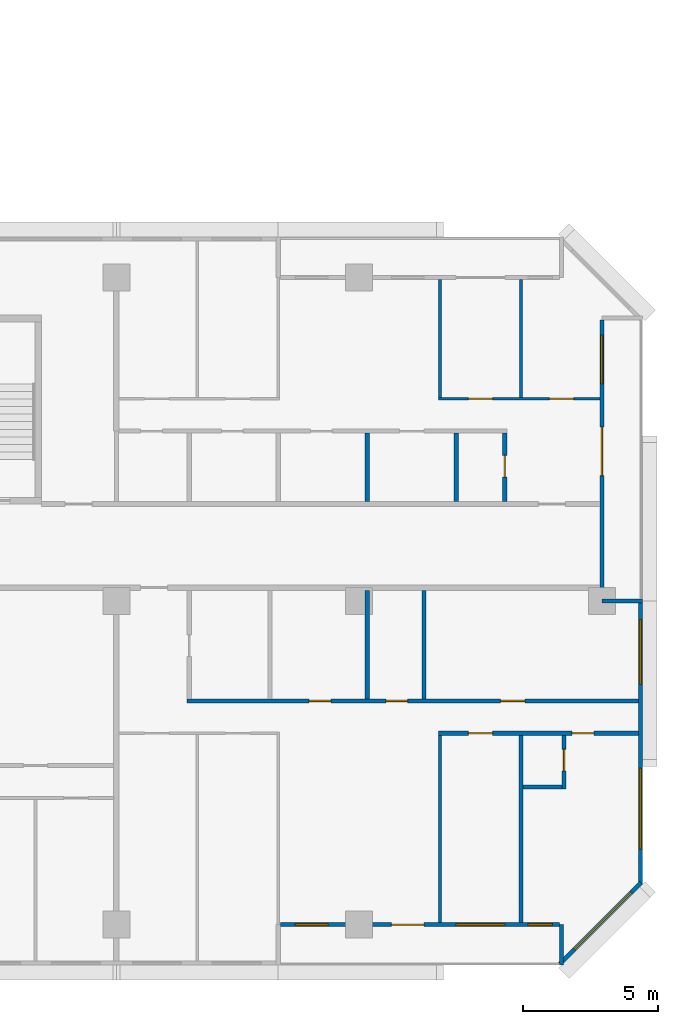
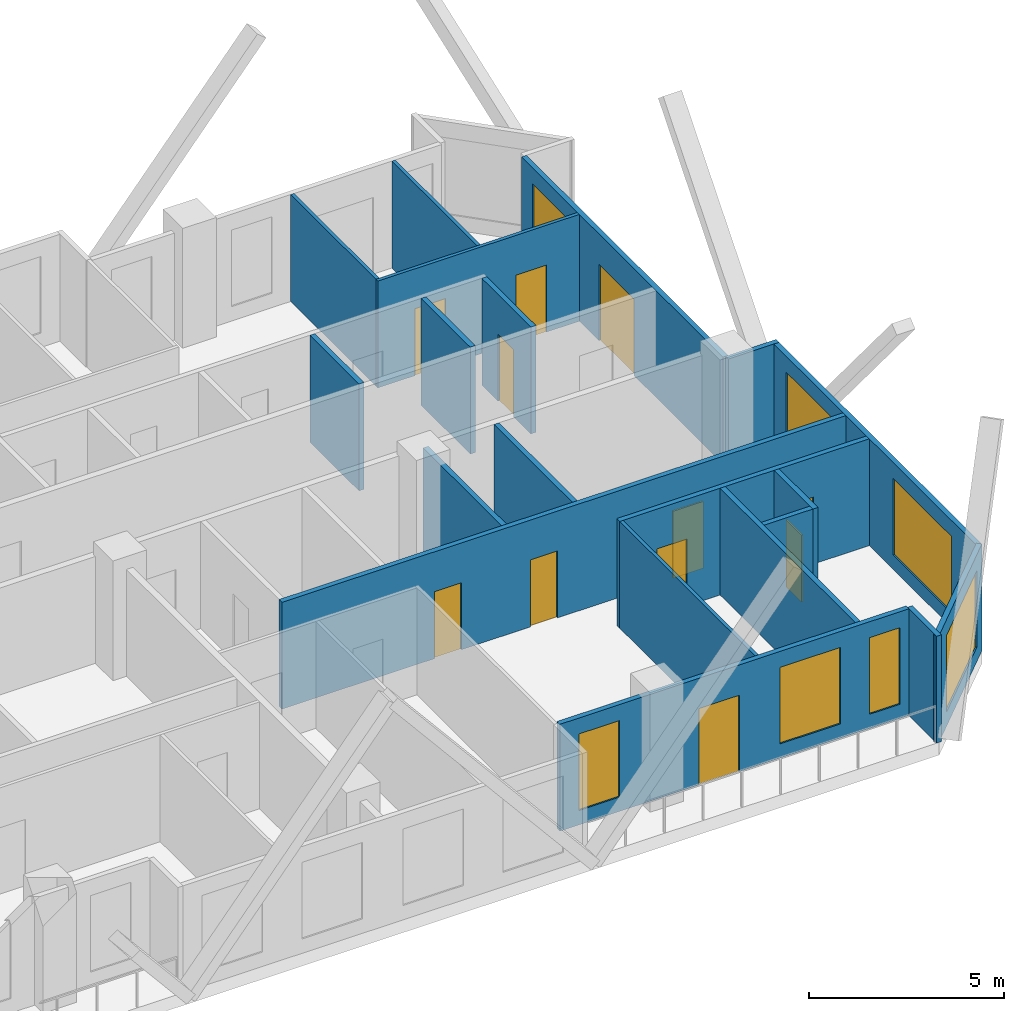
# One storey, part 12 of 16: 20 walls, 11 doors, 7 windows, 18 openings.
"""IFC4 building model written with IfcOpenShell, lengths in metres."""

from ifc_helpers import new_model, si_unit, direction, frame, frame_2d, origin, place, context, subcontext, project, spatial, rectangle, extrude, material, layer, layer_set, type_object, element, fill, save


model = new_model("IFC4")

# Units and contexts
model_context = context("Model", 3, precision=1e-05, world=origin(), true_north=direction((0.0, 1.0)))
body_context = subcontext(model_context, "Body", "Model", "MODEL_VIEW")
ifc_project = project(units=[si_unit("LENGTHUNIT", "METRE"), si_unit("AREAUNIT", "SQUARE_METRE"), si_unit("VOLUMEUNIT", "CUBIC_METRE"), si_unit("PLANEANGLEUNIT", "RADIAN"), si_unit("MASSUNIT", "GRAM", prefix="KILO")], contexts=[model_context])

# Site, building, storey
site_placement = place(None, origin())
site = spatial("IfcSite", under=ifc_project, at=site_placement, CompositionType="ELEMENT")
building_placement = place(site_placement, origin())
building = spatial("IfcBuilding", under=site, at=building_placement, Name="Chenar Terraces", CompositionType="ELEMENT")
storey_placement = place(building_placement, frame((0.0, 0.0, 99.39990234375)))
storey = spatial("IfcBuildingStorey", under=building, at=storey_placement, Name="L22", CompositionType="ELEMENT", Elevation=99.39990234375)

# Wall, openings, windows
ifc_material_1 = material(Name="Aluminium framed glazing", Category="aluminium")
ifc_layer_1 = layer(ifc_material_1, 0.14990234375)
ifc_layer_set_1 = layer_set([ifc_layer_1], Name="Aluminium framed glazing")
wall_type_1 = type_object("IfcWallType", Name="Glazed flush facade wall 150", PredefinedType="SOLIDWALL", material=ifc_layer_set_1)
wall_1_placement = place(storey_placement, frame((73.425048828125, 1.5, 0.0), z_axis=(0.0, 0.0, 1.0), x_axis=(0.0, 1.0, 0.0)))
wall_1 = element("IfcWall", 1, at=wall_1_placement, inside=storey, type_object=wall_type_1, Name="Glazed flush facade wall", PredefinedType="SOLIDWALL", context=body_context, shape_type="SweptSolid", body=[
    extrude(rectangle(XDim=10.425048828125, YDim=0.14990234375, at=frame_2d((5.21240234375, 0.0))), origin(), (0.0, 0.0, 1.0), 3.35009765625),
])
opening_1_placement = place(wall_1_placement, frame((1.300048828125, 0.0, 0.449951171875)))
opening_1 = element("IfcOpeningElement", 2, at=opening_1_placement, cuts=wall_1, Name="Opening W300x240", PredefinedType="OPENING", context=body_context, shape_type="SweptSolid", body=[
    extrude(rectangle(XDim=3.0, YDim=2.39990234375, at=frame_2d((1.5, 1.199951171875))), frame((0.0, 0.0849609375, 0.0), z_axis=(0.0, -1.0, 0.0), x_axis=(1.0, 0.0, 0.0)), (0.0, 0.0, 1.0), 0.169921875),
])
opening_2_placement = place(wall_1_placement, frame((7.41259765625, 0.0, 0.449951171875)))
opening_2 = element("IfcOpeningElement", 3, at=opening_2_placement, cuts=wall_1, Name="Opening W240x240", PredefinedType="OPENING", context=body_context, shape_type="SweptSolid", body=[
    extrude(rectangle(XDim=2.39990234375, YDim=2.39990234375, at=frame_2d((1.199951171875, 1.199951171875))), frame((0.0, 0.0849609375, 0.0), z_axis=(0.0, -1.0, 0.0), x_axis=(1.0, 0.0, 0.0)), (0.0, 0.0, 1.0), 0.169921875),
])
ifc_material_2 = material(Name="Low emissivity double glazing, aluminium frame", Category="aluminium")
window_type_1 = type_object("IfcWindowType", Name="Fixed light 2400 x 2400", PartitioningType="SINGLE_PANEL", PredefinedType="WINDOW", material=ifc_material_2)
window_1_placement = place(opening_2_placement, origin())
window_1 = element("IfcWindow", 4, at=window_1_placement, inside=storey, type_object=window_type_1, Name="Window", OverallHeight=2.39990234375, OverallWidth=2.39990234375, PartitioningType="SINGLE_PANEL", PredefinedType="WINDOW", context=body_context, shape_type="SweptSolid", body=[
    extrude(rectangle(XDim=2.39990234375, YDim=2.39990234375, at=frame_2d((1.199951171875, 1.199951171875))), frame((0.0, 0.030029296875, 0.0), z_axis=(0.0, -1.0, 0.0), x_axis=(1.0, 0.0, 0.0)), (0.0, 0.0, 1.0), 0.06005859375),
])
fill(opening_2, window_1)
ifc_material_3 = material(Name="Low emissivity double glazing, aluminium frame", Category="aluminium")
window_type_2 = type_object("IfcWindowType", Name="Fixed light 3000 x 2400", PartitioningType="SINGLE_PANEL", PredefinedType="WINDOW", material=ifc_material_3)
window_2_placement = place(opening_1_placement, origin())
window_2 = element("IfcWindow", 5, at=window_2_placement, inside=storey, type_object=window_type_2, Name="Window", OverallHeight=2.39990234375, OverallWidth=3.0, PartitioningType="SINGLE_PANEL", PredefinedType="WINDOW", context=body_context, shape_type="SweptSolid", body=[
    extrude(rectangle(XDim=3.0, YDim=2.39990234375, at=frame_2d((1.5, 1.199951171875))), frame((0.0, 0.030029296875, 0.0), z_axis=(0.0, -1.0, 0.0), x_axis=(1.0, 0.0, 0.0)), (0.0, 0.0, 1.0), 0.06005859375),
])
fill(opening_1, window_2)

# Wall, openings, windows, door
ifc_material_4 = material(Name="Aluminium framed glazing", Category="aluminium")
ifc_layer_2 = layer(ifc_material_4, 0.14990234375)
ifc_layer_set_2 = layer_set([ifc_layer_2], Name="Aluminium framed glazing")
wall_type_2 = type_object("IfcWallType", Name="Glazed loggia back wall 150", PredefinedType="SOLIDWALL", material=ifc_layer_set_2)
wall_2_placement = place(storey_placement, frame((60.074951171875, 0.0, 0.0), z_axis=(0.0, 0.0, 1.0), x_axis=(1.0, 0.0, 0.0)))
wall_2 = element("IfcWall", 6, at=wall_2_placement, inside=storey, type_object=wall_type_2, Name="Glazed loggia back wall", PredefinedType="SOLIDWALL", context=body_context, shape_type="SweptSolid", body=[
    extrude(rectangle(XDim=10.35009765625, YDim=0.14990234375, at=frame_2d((5.175048828125, 0.0))), origin(), (0.0, 0.0, 1.0), 3.35009765625),
])
opening_3_placement = place(wall_2_placement, frame((0.5625, 0.0, 0.449951171875)))
opening_3 = element("IfcOpeningElement", 7, at=opening_3_placement, cuts=wall_2, Name="Opening W120x240", PredefinedType="OPENING", context=body_context, shape_type="SweptSolid", body=[
    extrude(rectangle(XDim=1.199951171875, YDim=2.39990234375, at=frame_2d((0.60009765625, 1.199951171875))), frame((0.0, 0.0849609375, 0.0), z_axis=(0.0, -1.0, 0.0), x_axis=(1.0, 0.0, 0.0)), (0.0, 0.0, 1.0), 0.169921875),
])
opening_4_placement = place(wall_2_placement, frame((4.125, 0.0, 0.0)))
opening_4 = element("IfcOpeningElement", 8, at=opening_4_placement, cuts=wall_2, Name="Opening DL22-G8", PredefinedType="OPENING", context=body_context, shape_type="SweptSolid", body=[
    extrude(rectangle(XDim=1.199951171875, YDim=2.39990234375, at=frame_2d((0.60009765625, 1.199951171875))), frame((0.0, 0.0849609375, 0.0), z_axis=(0.0, -1.0, 0.0), x_axis=(1.0, 0.0, 0.0)), (0.0, 0.0, 1.0), 0.169921875),
])
opening_5_placement = place(wall_2_placement, frame((6.52490234375, 0.0, 0.449951171875)))
opening_5 = element("IfcOpeningElement", 9, at=opening_5_placement, cuts=wall_2, Name="Opening W180x240", PredefinedType="OPENING", context=body_context, shape_type="SweptSolid", body=[
    extrude(rectangle(XDim=1.800048828125, YDim=2.39990234375, at=frame_2d((0.89990234375, 1.199951171875))), frame((0.0, 0.0849609375, 0.0), z_axis=(0.0, -1.0, 0.0), x_axis=(1.0, 0.0, 0.0)), (0.0, 0.0, 1.0), 0.169921875),
])
opening_6_placement = place(wall_2_placement, frame((9.1875, 0.0, 0.449951171875)))
opening_6 = element("IfcOpeningElement", 10, at=opening_6_placement, cuts=wall_2, Name="Opening W90x240", PredefinedType="OPENING", context=body_context, shape_type="SweptSolid", body=[
    extrude(rectangle(XDim=0.89990234375, YDim=2.39990234375, at=frame_2d((0.449951171875, 1.199951171875))), frame((0.0, 0.0849609375, 0.0), z_axis=(0.0, -1.0, 0.0), x_axis=(1.0, 0.0, 0.0)), (0.0, 0.0, 1.0), 0.169921875),
])
ifc_material_5 = material(Name="Low emissivity double glazing, aluminium frame", Category="aluminium")
window_type_3 = type_object("IfcWindowType", Name="Fixed light 1200 x 2400", PartitioningType="SINGLE_PANEL", PredefinedType="WINDOW", material=ifc_material_5)
window_3_placement = place(opening_3_placement, origin())
window_3 = element("IfcWindow", 11, at=window_3_placement, inside=storey, type_object=window_type_3, Name="Window", OverallHeight=2.39990234375, OverallWidth=1.199951171875, PartitioningType="SINGLE_PANEL", PredefinedType="WINDOW", context=body_context, shape_type="SweptSolid", body=[
    extrude(rectangle(XDim=1.199951171875, YDim=2.39990234375, at=frame_2d((0.60009765625, 1.199951171875))), frame((0.0, 0.030029296875, 0.0), z_axis=(0.0, -1.0, 0.0), x_axis=(1.0, 0.0, 0.0)), (0.0, 0.0, 1.0), 0.06005859375),
])
fill(opening_3, window_3)
ifc_material_6 = material(Name="Low emissivity double glazing, aluminium frame", Category="aluminium")
window_type_4 = type_object("IfcWindowType", Name="Fixed light 1800 x 2400", PartitioningType="SINGLE_PANEL", PredefinedType="WINDOW", material=ifc_material_6)
window_4_placement = place(opening_5_placement, origin())
window_4 = element("IfcWindow", 12, at=window_4_placement, inside=storey, type_object=window_type_4, Name="Window", OverallHeight=2.39990234375, OverallWidth=1.800048828125, PartitioningType="SINGLE_PANEL", PredefinedType="WINDOW", context=body_context, shape_type="SweptSolid", body=[
    extrude(rectangle(XDim=1.800048828125, YDim=2.39990234375, at=frame_2d((0.89990234375, 1.199951171875))), frame((0.0, 0.030029296875, 0.0), z_axis=(0.0, -1.0, 0.0), x_axis=(1.0, 0.0, 0.0)), (0.0, 0.0, 1.0), 0.06005859375),
])
fill(opening_5, window_4)
ifc_material_7 = material(Name="Low emissivity double glazing, aluminium frame", Category="aluminium")
window_type_5 = type_object("IfcWindowType", Name="Fixed light 900 x 2400", PartitioningType="SINGLE_PANEL", PredefinedType="WINDOW", material=ifc_material_7)
window_5_placement = place(opening_6_placement, origin())
window_5 = element("IfcWindow", 13, at=window_5_placement, inside=storey, type_object=window_type_5, Name="Window", OverallHeight=2.39990234375, OverallWidth=0.89990234375, PartitioningType="SINGLE_PANEL", PredefinedType="WINDOW", context=body_context, shape_type="SweptSolid", body=[
    extrude(rectangle(XDim=0.89990234375, YDim=2.39990234375, at=frame_2d((0.449951171875, 1.199951171875))), frame((0.0, 0.030029296875, 0.0), z_axis=(0.0, -1.0, 0.0), x_axis=(1.0, 0.0, 0.0)), (0.0, 0.0, 1.0), 0.06005859375),
])
fill(opening_6, window_5)
ifc_material_8 = material(Name="Low emissivity double glazing, aluminium frame", Category="aluminium")
door_type_1 = type_object("IfcDoorType", Name="Loggia glazed double door 1200 x 2400", OperationType="DOUBLE_DOOR_SINGLE_SWING", PredefinedType="DOOR", material=ifc_material_8)
door_1_placement = place(opening_4_placement, frame((1.199951171875, 0.0, 0.0), z_axis=(0.0, 0.0, 1.0), x_axis=(-1.0, 0.0, 0.0)))
door_1 = element("IfcDoor", 14, at=door_1_placement, inside=storey, type_object=door_type_1, Name="Loggia glazed door", OperationType="DOUBLE_DOOR_SINGLE_SWING", OverallHeight=2.39990234375, OverallWidth=1.199951171875, PredefinedType="DOOR", context=body_context, shape_type="SweptSolid", body=[
    extrude(rectangle(XDim=1.199951171875, YDim=2.39990234375, at=frame_2d((0.60009765625, 1.199951171875))), frame((0.0, 0.02490234375, 0.0), z_axis=(0.0, -1.0, 0.0), x_axis=(1.0, 0.0, 0.0)), (0.0, 0.0, 1.0), 0.050048828125),
])
fill(opening_4, door_1)

# Wall, openings, window, door
wall_3_placement = place(storey_placement, frame((72.0, 12.074951171875, 0.0), z_axis=(0.0, 0.0, 1.0), x_axis=(0.0, 1.0, 0.0)))
wall_3 = element("IfcWall", 15, at=wall_3_placement, inside=storey, type_object=wall_type_2, Name="Glazed loggia back wall", PredefinedType="SOLIDWALL", context=body_context, shape_type="SweptSolid", body=[
    extrude(rectangle(XDim=10.35009765625, YDim=0.14990234375, at=frame_2d((5.175048828125, 0.0))), origin(), (0.0, 0.0, 1.0), 3.35009765625),
])
opening_7_placement = place(wall_3_placement, frame((4.574951171875, 0.0, 0.0)))
opening_7 = element("IfcOpeningElement", 16, at=opening_7_placement, cuts=wall_3, Name="Opening DL22-G9", PredefinedType="OPENING", context=body_context, shape_type="SweptSolid", body=[
    extrude(rectangle(XDim=1.800048828125, YDim=2.39990234375, at=frame_2d((0.89990234375, 1.199951171875))), frame((0.0, 0.0849609375, 0.0), z_axis=(0.0, -1.0, 0.0), x_axis=(1.0, 0.0, 0.0)), (0.0, 0.0, 1.0), 0.169921875),
])
opening_8_placement = place(wall_3_placement, frame((7.987548828125, 0.0, 0.449951171875)))
opening_8 = element("IfcOpeningElement", 17, at=opening_8_placement, cuts=wall_3, Name="Opening W180x240", PredefinedType="OPENING", context=body_context, shape_type="SweptSolid", body=[
    extrude(rectangle(XDim=1.800048828125, YDim=2.39990234375, at=frame_2d((0.89990234375, 1.199951171875))), frame((0.0, 0.0849609375, 0.0), z_axis=(0.0, -1.0, 0.0), x_axis=(1.0, 0.0, 0.0)), (0.0, 0.0, 1.0), 0.169921875),
])
window_6_placement = place(opening_8_placement, origin())
window_6 = element("IfcWindow", 18, at=window_6_placement, inside=storey, type_object=window_type_4, Name="Window", OverallHeight=2.39990234375, OverallWidth=1.800048828125, PartitioningType="SINGLE_PANEL", PredefinedType="WINDOW", context=body_context, shape_type="SweptSolid", body=[
    extrude(rectangle(XDim=1.800048828125, YDim=2.39990234375, at=frame_2d((0.89990234375, 1.199951171875))), frame((0.0, 0.030029296875, 0.0), z_axis=(0.0, -1.0, 0.0), x_axis=(1.0, 0.0, 0.0)), (0.0, 0.0, 1.0), 0.06005859375),
])
fill(opening_8, window_6)
ifc_material_9 = material(Name="Low emissivity double glazing, aluminium frame", Category="aluminium")
door_type_2 = type_object("IfcDoorType", Name="Loggia glazed double door 1800 x 2400", OperationType="DOUBLE_DOOR_SINGLE_SWING", PredefinedType="DOOR", material=ifc_material_9)
door_2_placement = place(opening_7_placement, frame((1.800048828125, 0.0, 0.0), z_axis=(0.0, 0.0, 1.0), x_axis=(-1.0, 0.0, 0.0)))
door_2 = element("IfcDoor", 19, at=door_2_placement, inside=storey, type_object=door_type_2, Name="Loggia glazed door", OperationType="DOUBLE_DOOR_SINGLE_SWING", OverallHeight=2.39990234375, OverallWidth=1.800048828125, PredefinedType="DOOR", context=body_context, shape_type="SweptSolid", body=[
    extrude(rectangle(XDim=1.800048828125, YDim=2.39990234375, at=frame_2d((0.89990234375, 1.199951171875))), frame((0.0, 0.02490234375, 0.0), z_axis=(0.0, -1.0, 0.0), x_axis=(1.0, 0.0, 0.0)), (0.0, 0.0, 1.0), 0.050048828125),
])
fill(opening_7, door_2)

# Wall, openings, doors
ifc_material_10 = material(Name="Gypsum board on steel studs", Category="steel")
ifc_layer_3 = layer(ifc_material_10, 0.10009765625)
ifc_layer_set_3 = layer_set([ifc_layer_3], Name="Gypsum board on steel studs")
wall_type_3 = type_object("IfcWallType", Name="Gypsum partition 100", PredefinedType="PARTITIONING", material=ifc_layer_set_3)
wall_4_placement = place(storey_placement, frame((65.949951171875, 19.5, 0.0), z_axis=(0.0, 0.0, 1.0), x_axis=(1.0, 0.0, 0.0)))
wall_4 = element("IfcWall", 20, at=wall_4_placement, inside=storey, type_object=wall_type_3, Name="Partition L22-094", PredefinedType="PARTITIONING", context=body_context, shape_type="SweptSolid", body=[
    extrude(rectangle(XDim=5.97607421875, YDim=0.10009765625, at=frame_2d((2.988037109375, 0.0))), origin(), (0.0, 0.0, 1.0), 3.35009765625),
])
opening_9_placement = place(wall_4_placement, frame((4.10009765625, 0.0, 0.0)))
opening_9 = element("IfcOpeningElement", 21, at=opening_9_placement, cuts=wall_4, Name="Opening DL22-7", PredefinedType="OPENING", context=body_context, shape_type="SweptSolid", body=[
    extrude(rectangle(XDim=0.89990234375, YDim=2.10009765625, at=frame_2d((0.449951171875, 1.050048828125))), frame((0.0, 0.06005859375, 0.0), z_axis=(0.0, -1.0, 0.0), x_axis=(1.0, 0.0, 0.0)), (0.0, 0.0, 1.0), 0.1201171875),
])
opening_10_placement = place(wall_4_placement, frame((1.10009765625, 0.0, 0.0)))
opening_10 = element("IfcOpeningElement", 22, at=opening_10_placement, cuts=wall_4, Name="Opening DL22-11", PredefinedType="OPENING", context=body_context, shape_type="SweptSolid", body=[
    extrude(rectangle(XDim=0.89990234375, YDim=2.10009765625, at=frame_2d((0.449951171875, 1.050048828125))), frame((0.0, 0.06005859375, 0.0), z_axis=(0.0, -1.0, 0.0), x_axis=(1.0, 0.0, 0.0)), (0.0, 0.0, 1.0), 0.1201171875),
])
ifc_material_11 = material(Name="Veneered timber door leaf", Category="wood")
door_type_3 = type_object("IfcDoorType", Name="Door 900 x 2100", OperationType="SINGLE_SWING_LEFT", PredefinedType="DOOR", material=ifc_material_11)
door_3_placement = place(opening_9_placement, origin())
door_3 = element("IfcDoor", 23, at=door_3_placement, inside=storey, type_object=door_type_3, Name="Door DL22-7", OperationType="SINGLE_SWING_LEFT", OverallHeight=2.10009765625, OverallWidth=0.89990234375, PredefinedType="DOOR", context=body_context, shape_type="SweptSolid", body=[
    extrude(rectangle(XDim=0.89990234375, YDim=2.10009765625, at=frame_2d((0.449951171875, 1.050048828125))), frame((0.0, 0.02490234375, 0.0), z_axis=(0.0, -1.0, 0.0), x_axis=(1.0, 0.0, 0.0)), (0.0, 0.0, 1.0), 0.050048828125),
])
fill(opening_9, door_3)
door_4_placement = place(opening_10_placement, origin())
door_4 = element("IfcDoor", 24, at=door_4_placement, inside=storey, type_object=door_type_3, Name="Door DL22-11", OperationType="SINGLE_SWING_LEFT", OverallHeight=2.10009765625, OverallWidth=0.89990234375, PredefinedType="DOOR", context=body_context, shape_type="SweptSolid", body=[
    extrude(rectangle(XDim=0.89990234375, YDim=2.10009765625, at=frame_2d((0.449951171875, 1.050048828125))), frame((0.0, 0.02490234375, 0.0), z_axis=(0.0, -1.0, 0.0), x_axis=(1.0, 0.0, 0.0)), (0.0, 0.0, 1.0), 0.050048828125),
])
fill(opening_10, door_4)

# Walls
wall_5_placement = place(storey_placement, frame((66.0, 0.073974609375, 0.0), z_axis=(0.0, 0.0, 1.0), x_axis=(0.0, 1.0, 0.0)))
element("IfcWall", 25, at=wall_5_placement, inside=storey, type_object=wall_type_3, Name="Partition L22-095", PredefinedType="PARTITIONING", context=body_context, shape_type="SweptSolid", body=[
    extrude(rectangle(XDim=6.950927734375, YDim=0.10009765625, at=frame_2d((3.4755859375, 0.0))), origin(), (0.0, 0.0, 1.0), 3.35009765625),
])
for number, where, z_axis, x_axis, name in (
    (26, (66.0, 19.550048828125, 0.0), (0.0, 0.0, 1.0), (0.0, 1.0, 0.0), "Partition L22-096"),
    (27, (69.0, 19.550048828125, 0.0), (0.0, 0.0, 1.0), (0.0, 1.0, 0.0), "Partition L22-100"),
):
    element("IfcWall", number, at=place(storey_placement, frame(where, z_axis=z_axis, x_axis=x_axis)), inside=storey, type_object=wall_type_3, Name=name, PredefinedType="PARTITIONING", context=body_context, shape_type="SweptSolid", body=[
        extrude(rectangle(XDim=4.3759765625, YDim=0.10009765625, at=frame_2d((2.18798828125, 0.0))), origin(), (0.0, 0.0, 1.0), 3.35009765625),
    ])
ifc_material_12 = material(Name="Terracotta cladding on insulated backing", Category="masonry")
ifc_layer_4 = layer(ifc_material_12, 0.14990234375)
ifc_layer_set_4 = layer_set([ifc_layer_4], Name="Terracotta cladding on insulated backing")
wall_type_4 = type_object("IfcWallType", Name="Loggia return wall 150", PredefinedType="SOLIDWALL", material=ifc_layer_set_4)
for number, where, z_axis, x_axis, name in (
    (28, (70.5, -1.5, 0.0), (0.0, 0.0, 1.0), (0.0, 1.0, 0.0), "Loggia return wall"),
    (29, (73.5, 12.0, 0.0), (0.0, 0.0, 1.0), (-1.0, 0.0, 0.0), "Loggia return wall"),
):
    element("IfcWall", number, at=place(storey_placement, frame(where, z_axis=z_axis, x_axis=x_axis)), inside=storey, type_object=wall_type_4, Name=name, PredefinedType="SOLIDWALL", context=body_context, shape_type="SweptSolid", body=[
        extrude(rectangle(XDim=1.5, YDim=0.14990234375, at=frame_2d((0.75, 0.0))), origin(), (0.0, 0.0, 1.0), 3.35009765625),
    ])

# Wall, opening, window
ifc_material_13 = material(Name="Terracotta cladding on insulated backing", Category="masonry")
ifc_layer_5 = layer(ifc_material_13, 0.14990234375)
ifc_layer_set_5 = layer_set([ifc_layer_5], Name="Terracotta cladding on insulated backing")
wall_type_5 = type_object("IfcWallType", Name="Terracotta rainscreen wall 150", PredefinedType="SOLIDWALL", material=ifc_layer_set_5)
wall_6_placement = place(storey_placement, frame((70.447021484375, -1.447021484375, 0.0), z_axis=(0.0, 0.0, 1.0), x_axis=(0.707106781187, 0.707106781187, 0.0)))
wall_6 = element("IfcWall", 30, at=wall_6_placement, inside=storey, type_object=wall_type_5, Name="Terracotta rainscreen wall", PredefinedType="SOLIDWALL", context=body_context, shape_type="SweptSolid", body=[
    extrude(rectangle(XDim=4.24267578125, YDim=0.14990234375, at=frame_2d((2.121337890625, 0.0))), origin(), (0.0, 0.0, 1.0), 3.35009765625),
])
opening_11_placement = place(wall_6_placement, frame((0.744384765625, 0.0, 0.449951171875)))
opening_11 = element("IfcOpeningElement", 31, at=opening_11_placement, cuts=wall_6, Name="Opening W300x240", PredefinedType="OPENING", context=body_context, shape_type="SweptSolid", body=[
    extrude(rectangle(XDim=3.0, YDim=2.39990234375, at=frame_2d((1.5, 1.199951171875))), frame((0.0, 0.0849609375, 0.0), z_axis=(0.0, -1.0, 0.0), x_axis=(1.0, 0.0, 0.0)), (0.0, 0.0, 1.0), 0.169921875),
])
window_7_placement = place(opening_11_placement, origin())
window_7 = element("IfcWindow", 32, at=window_7_placement, inside=storey, type_object=window_type_2, Name="Window", OverallHeight=2.39990234375, OverallWidth=3.0, PartitioningType="SINGLE_PANEL", PredefinedType="WINDOW", context=body_context, shape_type="SweptSolid", body=[
    extrude(rectangle(XDim=3.0, YDim=2.39990234375, at=frame_2d((1.5, 1.199951171875))), frame((0.0, 0.030029296875, 0.0), z_axis=(0.0, -1.0, 0.0), x_axis=(1.0, 0.0, 0.0)), (0.0, 0.0, 1.0), 0.06005859375),
])
fill(opening_11, window_7)

# Wall, openings, doors
ifc_material_14 = material(Name="Moisture-resistant gypsum board on steel studs", Category="steel")
ifc_layer_6 = layer(ifc_material_14, 0.14990234375)
ifc_layer_set_6 = layer_set([ifc_layer_6], Name="Moisture-resistant gypsum board on steel studs")
wall_type_6 = type_object("IfcWallType", Name="Wet-room partition 150", PredefinedType="PARTITIONING", material=ifc_layer_set_6)
wall_7_placement = place(storey_placement, frame((56.625, 8.300048828125, 0.0), z_axis=(0.0, 0.0, 1.0), x_axis=(1.0, 0.0, 0.0)))
wall_7 = element("IfcWall", 33, at=wall_7_placement, inside=storey, type_object=wall_type_6, Name="Partition L22-081", PredefinedType="PARTITIONING", context=body_context, shape_type="SweptSolid", body=[
    extrude(rectangle(XDim=16.72509765625, YDim=0.14990234375, at=frame_2d((8.362548828125, 0.0))), origin(), (0.0, 0.0, 1.0), 3.35009765625),
])
opening_12_placement = place(wall_7_placement, frame((4.52490234375, 0.0, 0.0)))
opening_12 = element("IfcOpeningElement", 34, at=opening_12_placement, cuts=wall_7, Name="Opening DL22-14", PredefinedType="OPENING", context=body_context, shape_type="SweptSolid", body=[
    extrude(rectangle(XDim=0.800048828125, YDim=2.10009765625, at=frame_2d((0.39990234375, 1.050048828125))), frame((0.0, 0.0849609375, 0.0), z_axis=(0.0, -1.0, 0.0), x_axis=(1.0, 0.0, 0.0)), (0.0, 0.0, 1.0), 0.169921875),
])
opening_13_placement = place(wall_7_placement, frame((11.625, 0.0, 0.0)))
opening_13 = element("IfcOpeningElement", 35, at=opening_13_placement, cuts=wall_7, Name="Opening DL22-17", PredefinedType="OPENING", context=body_context, shape_type="SweptSolid", body=[
    extrude(rectangle(XDim=0.89990234375, YDim=2.10009765625, at=frame_2d((0.449951171875, 1.050048828125))), frame((0.0, 0.0849609375, 0.0), z_axis=(0.0, -1.0, 0.0), x_axis=(1.0, 0.0, 0.0)), (0.0, 0.0, 1.0), 0.169921875),
])
opening_14_placement = place(wall_7_placement, frame((7.375, 0.0, 0.0)))
opening_14 = element("IfcOpeningElement", 36, at=opening_14_placement, cuts=wall_7, Name="Opening DL22-23", PredefinedType="OPENING", context=body_context, shape_type="SweptSolid", body=[
    extrude(rectangle(XDim=0.800048828125, YDim=2.10009765625, at=frame_2d((0.39990234375, 1.050048828125))), frame((0.0, 0.0849609375, 0.0), z_axis=(0.0, -1.0, 0.0), x_axis=(1.0, 0.0, 0.0)), (0.0, 0.0, 1.0), 0.169921875),
])
ifc_material_15 = material(Name="Veneered timber door leaf", Category="wood")
door_type_4 = type_object("IfcDoorType", Name="Door 800 x 2100", OperationType="SINGLE_SWING_LEFT", PredefinedType="DOOR", material=ifc_material_15)
door_5_placement = place(opening_12_placement, origin())
door_5 = element("IfcDoor", 37, at=door_5_placement, inside=storey, type_object=door_type_4, Name="Door DL22-14", OperationType="SINGLE_SWING_RIGHT", OverallHeight=2.10009765625, OverallWidth=0.800048828125, PredefinedType="DOOR", context=body_context, shape_type="SweptSolid", body=[
    extrude(rectangle(XDim=0.800048828125, YDim=2.10009765625, at=frame_2d((0.39990234375, 1.050048828125))), frame((0.0, 0.02490234375, 0.0), z_axis=(0.0, -1.0, 0.0), x_axis=(1.0, 0.0, 0.0)), (0.0, 0.0, 1.0), 0.050048828125),
])
fill(opening_12, door_5)
door_6_placement = place(opening_14_placement, origin())
door_6 = element("IfcDoor", 38, at=door_6_placement, inside=storey, type_object=door_type_4, Name="Door DL22-23", OperationType="SINGLE_SWING_RIGHT", OverallHeight=2.10009765625, OverallWidth=0.800048828125, PredefinedType="DOOR", context=body_context, shape_type="SweptSolid", body=[
    extrude(rectangle(XDim=0.800048828125, YDim=2.10009765625, at=frame_2d((0.39990234375, 1.050048828125))), frame((0.0, 0.02490234375, 0.0), z_axis=(0.0, -1.0, 0.0), x_axis=(1.0, 0.0, 0.0)), (0.0, 0.0, 1.0), 0.050048828125),
])
fill(opening_14, door_6)
door_7_placement = place(opening_13_placement, origin())
door_7 = element("IfcDoor", 39, at=door_7_placement, inside=storey, type_object=door_type_3, Name="Door DL22-17", OperationType="SINGLE_SWING_RIGHT", OverallHeight=2.10009765625, OverallWidth=0.89990234375, PredefinedType="DOOR", context=body_context, shape_type="SweptSolid", body=[
    extrude(rectangle(XDim=0.89990234375, YDim=2.10009765625, at=frame_2d((0.449951171875, 1.050048828125))), frame((0.0, 0.02490234375, 0.0), z_axis=(0.0, -1.0, 0.0), x_axis=(1.0, 0.0, 0.0)), (0.0, 0.0, 1.0), 0.050048828125),
])
fill(opening_13, door_7)

# Walls
wall_8_placement = place(storey_placement, frame((63.300048828125, 8.375, 0.0), z_axis=(0.0, 0.0, 1.0), x_axis=(0.0, 1.0, 0.0)))
element("IfcWall", 40, at=wall_8_placement, inside=storey, type_object=wall_type_6, Name="Partition L22-090", PredefinedType="PARTITIONING", context=body_context, shape_type="SweptSolid", body=[
    extrude(rectangle(XDim=4.02490234375, YDim=0.14990234375, at=frame_2d((2.012451171875, 0.0))), origin(), (0.0, 0.0, 1.0), 3.35009765625),
])
wall_9_placement = place(storey_placement, frame((63.300048828125, 15.699951171875, 0.0), z_axis=(0.0, 0.0, 1.0), x_axis=(0.0, 1.0, 0.0)))
element("IfcWall", 41, at=wall_9_placement, inside=storey, type_object=wall_type_6, Name="Partition L22-091", PredefinedType="PARTITIONING", context=body_context, shape_type="SweptSolid", body=[
    extrude(rectangle(XDim=2.525146484375, YDim=0.14990234375, at=frame_2d((1.2626953125, 0.0))), origin(), (0.0, 0.0, 1.0), 3.35009765625),
])
wall_10_placement = place(storey_placement, frame((65.39990234375, 8.375, 0.0), z_axis=(0.0, 0.0, 1.0), x_axis=(0.0, 1.0, 0.0)))
element("IfcWall", 42, at=wall_10_placement, inside=storey, type_object=wall_type_6, Name="Partition L22-092", PredefinedType="PARTITIONING", context=body_context, shape_type="SweptSolid", body=[
    extrude(rectangle(XDim=4.02490234375, YDim=0.14990234375, at=frame_2d((2.012451171875, 0.0))), origin(), (0.0, 0.0, 1.0), 3.35009765625),
])

# Wall, openings, doors
wall_11_placement = place(storey_placement, frame((65.949951171875, 7.10009765625, 0.0), z_axis=(0.0, 0.0, 1.0), x_axis=(1.0, 0.0, 0.0)))
wall_11 = element("IfcWall", 43, at=wall_11_placement, inside=storey, type_object=wall_type_6, Name="Partition L22-093", PredefinedType="PARTITIONING", context=body_context, shape_type="SweptSolid", body=[
    extrude(rectangle(XDim=7.400146484375, YDim=0.14990234375, at=frame_2d((3.7001953125, 0.0))), origin(), (0.0, 0.0, 1.0), 3.35009765625),
])
opening_15_placement = place(wall_11_placement, frame((4.949951171875, 0.0, 0.0)))
opening_15 = element("IfcOpeningElement", 44, at=opening_15_placement, cuts=wall_11, Name="Opening DL22-19", PredefinedType="OPENING", context=body_context, shape_type="SweptSolid", body=[
    extrude(rectangle(XDim=0.800048828125, YDim=2.10009765625, at=frame_2d((0.39990234375, 1.050048828125))), frame((0.0, 0.0849609375, 0.0), z_axis=(0.0, -1.0, 0.0), x_axis=(1.0, 0.0, 0.0)), (0.0, 0.0, 1.0), 0.169921875),
])
opening_16_placement = place(wall_11_placement, frame((1.10009765625, 0.0, 0.0)))
opening_16 = element("IfcOpeningElement", 45, at=opening_16_placement, cuts=wall_11, Name="Opening DL22-21", PredefinedType="OPENING", context=body_context, shape_type="SweptSolid", body=[
    extrude(rectangle(XDim=0.89990234375, YDim=2.10009765625, at=frame_2d((0.449951171875, 1.050048828125))), frame((0.0, 0.0849609375, 0.0), z_axis=(0.0, -1.0, 0.0), x_axis=(1.0, 0.0, 0.0)), (0.0, 0.0, 1.0), 0.169921875),
])
door_8_placement = place(opening_15_placement, frame((0.800048828125, 0.0, 0.0), z_axis=(0.0, 0.0, 1.0), x_axis=(-1.0, 0.0, 0.0)))
door_8 = element("IfcDoor", 46, at=door_8_placement, inside=storey, type_object=door_type_4, Name="Door DL22-19", OperationType="SINGLE_SWING_RIGHT", OverallHeight=2.10009765625, OverallWidth=0.800048828125, PredefinedType="DOOR", context=body_context, shape_type="SweptSolid", body=[
    extrude(rectangle(XDim=0.800048828125, YDim=2.10009765625, at=frame_2d((0.39990234375, 1.050048828125))), frame((0.0, 0.02490234375, 0.0), z_axis=(0.0, -1.0, 0.0), x_axis=(1.0, 0.0, 0.0)), (0.0, 0.0, 1.0), 0.050048828125),
])
fill(opening_15, door_8)
door_9_placement = place(opening_16_placement, frame((0.89990234375, 0.0, 0.0), z_axis=(0.0, 0.0, 1.0), x_axis=(-1.0, 0.0, 0.0)))
door_9 = element("IfcDoor", 47, at=door_9_placement, inside=storey, type_object=door_type_3, Name="Door DL22-21", OperationType="SINGLE_SWING_RIGHT", OverallHeight=2.10009765625, OverallWidth=0.89990234375, PredefinedType="DOOR", context=body_context, shape_type="SweptSolid", body=[
    extrude(rectangle(XDim=0.89990234375, YDim=2.10009765625, at=frame_2d((0.449951171875, 1.050048828125))), frame((0.0, 0.02490234375, 0.0), z_axis=(0.0, -1.0, 0.0), x_axis=(1.0, 0.0, 0.0)), (0.0, 0.0, 1.0), 0.050048828125),
])
fill(opening_16, door_9)

# Wall
wall_12_placement = place(storey_placement, frame((66.60009765625, 15.699951171875, 0.0), z_axis=(0.0, 0.0, 1.0), x_axis=(0.0, 1.0, 0.0)))
element("IfcWall", 48, at=wall_12_placement, inside=storey, type_object=wall_type_6, Name="Partition L22-097", PredefinedType="PARTITIONING", context=body_context, shape_type="SweptSolid", body=[
    extrude(rectangle(XDim=2.525146484375, YDim=0.14990234375, at=frame_2d((1.2626953125, 0.0))), origin(), (0.0, 0.0, 1.0), 3.35009765625),
])

# Wall, opening, door
wall_13_placement = place(storey_placement, frame((68.39990234375, 15.699951171875, 0.0), z_axis=(0.0, 0.0, 1.0), x_axis=(0.0, 1.0, 0.0)))
wall_13 = element("IfcWall", 49, at=wall_13_placement, inside=storey, type_object=wall_type_6, Name="Partition L22-098", PredefinedType="PARTITIONING", context=body_context, shape_type="SweptSolid", body=[
    extrude(rectangle(XDim=2.525146484375, YDim=0.14990234375, at=frame_2d((1.2626953125, 0.0))), origin(), (0.0, 0.0, 1.0), 3.35009765625),
])
opening_17_placement = place(wall_13_placement, frame((0.89990234375, 0.0, 0.0)))
opening_17 = element("IfcOpeningElement", 50, at=opening_17_placement, cuts=wall_13, Name="Opening DL22-13", PredefinedType="OPENING", context=body_context, shape_type="SweptSolid", body=[
    extrude(rectangle(XDim=0.800048828125, YDim=2.10009765625, at=frame_2d((0.39990234375, 1.050048828125))), frame((0.0, 0.0849609375, 0.0), z_axis=(0.0, -1.0, 0.0), x_axis=(1.0, 0.0, 0.0)), (0.0, 0.0, 1.0), 0.169921875),
])
door_10_placement = place(opening_17_placement, origin())
door_10 = element("IfcDoor", 51, at=door_10_placement, inside=storey, type_object=door_type_4, Name="Door DL22-13", OperationType="SINGLE_SWING_RIGHT", OverallHeight=2.10009765625, OverallWidth=0.800048828125, PredefinedType="DOOR", context=body_context, shape_type="SweptSolid", body=[
    extrude(rectangle(XDim=0.800048828125, YDim=2.10009765625, at=frame_2d((0.39990234375, 1.050048828125))), frame((0.0, 0.02490234375, 0.0), z_axis=(0.0, -1.0, 0.0), x_axis=(1.0, 0.0, 0.0)), (0.0, 0.0, 1.0), 0.050048828125),
])
fill(opening_17, door_10)

# Walls
wall_14_placement = place(storey_placement, frame((69.0, 0.073974609375, 0.0), z_axis=(0.0, 0.0, 1.0), x_axis=(0.0, 1.0, 0.0)))
element("IfcWall", 52, at=wall_14_placement, inside=storey, type_object=wall_type_6, Name="Partition L22-099", PredefinedType="PARTITIONING", context=body_context, shape_type="SweptSolid", body=[
    extrude(rectangle(XDim=6.950927734375, YDim=0.14990234375, at=frame_2d((3.4755859375, 0.0))), origin(), (0.0, 0.0, 1.0), 3.35009765625),
])
wall_15_placement = place(storey_placement, frame((69.074951171875, 5.10009765625, 0.0), z_axis=(0.0, 0.0, 1.0), x_axis=(1.0, 0.0, 0.0)))
element("IfcWall", 53, at=wall_15_placement, inside=storey, type_object=wall_type_6, Name="Partition L22-101", PredefinedType="PARTITIONING", context=body_context, shape_type="SweptSolid", body=[
    extrude(rectangle(XDim=1.449951171875, YDim=0.14990234375, at=frame_2d((0.72509765625, 0.0))), origin(), (0.0, 0.0, 1.0), 3.35009765625),
])

# Wall, opening, door
wall_16_placement = place(storey_placement, frame((70.60009765625, 5.02490234375, 0.0), z_axis=(0.0, 0.0, 1.0), x_axis=(0.0, 1.0, 0.0)))
wall_16 = element("IfcWall", 54, at=wall_16_placement, inside=storey, type_object=wall_type_6, Name="Partition L22-102", PredefinedType="PARTITIONING", context=body_context, shape_type="SweptSolid", body=[
    extrude(rectangle(XDim=2.0, YDim=0.14990234375, at=frame_2d((1.0, 0.0))), origin(), (0.0, 0.0, 1.0), 3.35009765625),
])
opening_18_placement = place(wall_16_placement, frame((0.675048828125, 0.0, 0.0)))
opening_18 = element("IfcOpeningElement", 55, at=opening_18_placement, cuts=wall_16, Name="Opening DL22-20", PredefinedType="OPENING", context=body_context, shape_type="SweptSolid", body=[
    extrude(rectangle(XDim=0.800048828125, YDim=2.10009765625, at=frame_2d((0.39990234375, 1.050048828125))), frame((0.0, 0.0849609375, 0.0), z_axis=(0.0, -1.0, 0.0), x_axis=(1.0, 0.0, 0.0)), (0.0, 0.0, 1.0), 0.169921875),
])
door_11_placement = place(opening_18_placement, origin())
door_11 = element("IfcDoor", 56, at=door_11_placement, inside=storey, type_object=door_type_4, Name="Door DL22-20", OperationType="SINGLE_SWING_LEFT", OverallHeight=2.10009765625, OverallWidth=0.800048828125, PredefinedType="DOOR", context=body_context, shape_type="SweptSolid", body=[
    extrude(rectangle(XDim=0.800048828125, YDim=2.10009765625, at=frame_2d((0.39990234375, 1.050048828125))), frame((0.0, 0.02490234375, 0.0), z_axis=(0.0, -1.0, 0.0), x_axis=(1.0, 0.0, 0.0)), (0.0, 0.0, 1.0), 0.050048828125),
])
fill(opening_18, door_11)

save(model, "model.ifc")
